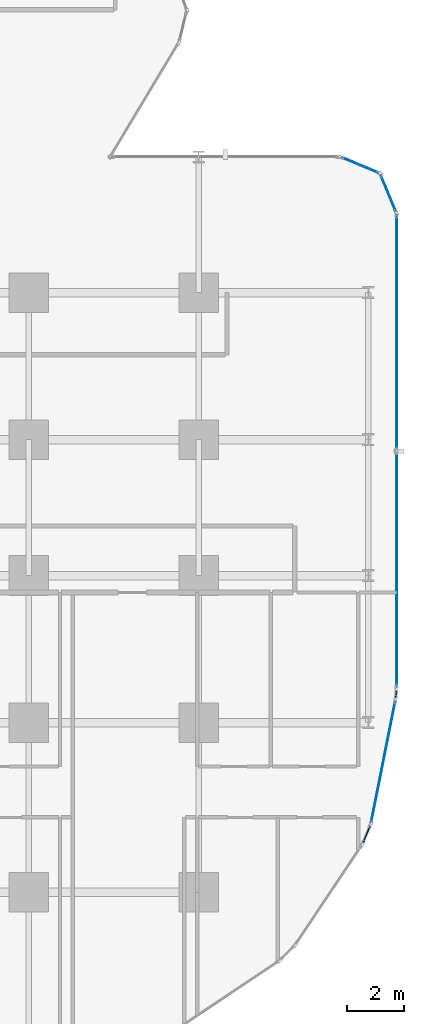
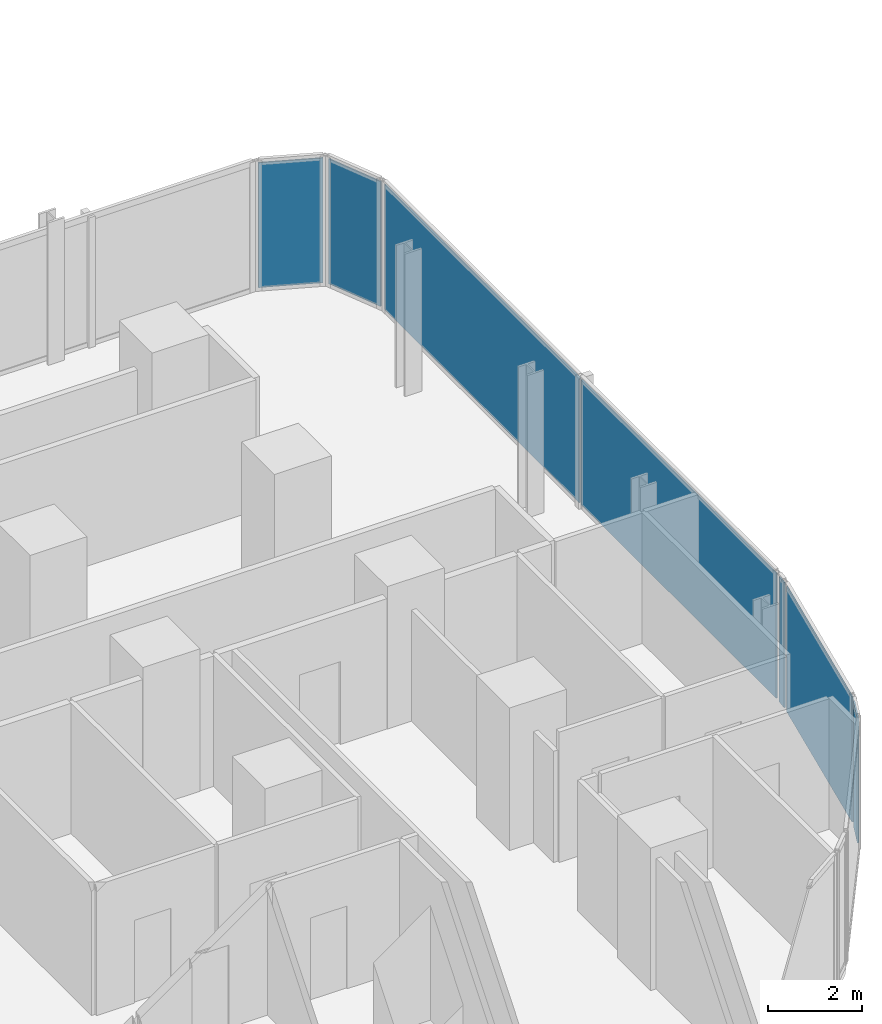
# One storey, part 25 of 34: 7 plates, 6 elements without a shape of their own.
"""IFC4 building model written with IfcOpenShell, lengths in metres."""

from ifc_helpers import new_model, si_unit, direction, frame, origin, origin_2d, place, context, subcontext, project, spatial, rectangle, extrude, material, layer, layer_set, type_object, element, aggregate, save


model = new_model("IFC4")

# Units and contexts
model_context = context("Model", 3, precision=1e-05, world=origin(), true_north=direction((0.0, 1.0)))
body_context = subcontext(model_context, "Body", "Model", "MODEL_VIEW")
ifc_project = project(units=[si_unit("LENGTHUNIT", "METRE"), si_unit("AREAUNIT", "SQUARE_METRE"), si_unit("VOLUMEUNIT", "CUBIC_METRE"), si_unit("PLANEANGLEUNIT", "RADIAN"), si_unit("MASSUNIT", "GRAM", prefix="KILO")], contexts=[model_context])

# Site, building, storey
site_placement = place(None, origin())
site = spatial("IfcSite", under=ifc_project, at=site_placement, CompositionType="ELEMENT")
building_placement = place(site_placement, origin())
building = spatial("IfcBuilding", under=site, at=building_placement, Name="Keshet Zoharim Tower", CompositionType="ELEMENT")
storey_placement = place(building_placement, frame((0.0, 0.0, 38.800048828125)))
storey = spatial("IfcBuildingStorey", under=building, at=storey_placement, Name="L08", CompositionType="ELEMENT", Elevation=38.800048828125)

# Curtain wall, plate
ifc_material_1 = material(Name="Aluminium 6063-T6", Category="aluminium")
ifc_layer_1 = layer(ifc_material_1, 0.179931640625)
ifc_layer_set_1 = layer_set([ifc_layer_1], Name="Aluminium 6063-T6")
curtain_wall_type_1 = type_object("IfcCurtainWallType", Name="CW-SYS-01", PredefinedType="NOTDEFINED", material=ifc_layer_set_1)
curtain_wall_1_placement = place(storey_placement, origin())
curtain_wall_1 = element("IfcCurtainWall", 1, at=curtain_wall_1_placement, inside=storey, type_object=curtain_wall_type_1, Name="L08 Unitised Curtain Wall 19", PredefinedType="NOTDEFINED")
ifc_material_2 = material(Name="Insulated Low-E Clear Glass", Category="glass")
ifc_layer_2 = layer(ifc_material_2, 0.035888671875)
ifc_layer_set_2 = layer_set([ifc_layer_2], Name="Insulated Low-E Clear Glass")
plate_type_1 = type_object("IfcPlateType", Name="CWP-01", PredefinedType="CURTAIN_PANEL", material=ifc_layer_set_2)
plate_1_placement = place(storey_placement, frame((68.9384765625, 8.75439453125, 0.06982421875), z_axis=(0.0, 0.0, 1.0), x_axis=(-0.383068349739, -0.923720000557, 0.0)))
plate_1 = element("IfcPlate", 2, at=plate_1_placement, type_object=plate_type_1, Name="CW-01 panel 1.1", PredefinedType="CURTAIN_PANEL", context=body_context, shape_type="SweptSolid", body=[
    extrude(rectangle(XDim=0.640625, YDim=0.035888671875, at=origin_2d()), origin(), (0.0, 0.0, 1.0), 3.2451171875),
])
aggregate(curtain_wall_1, [plate_1])

ifc_layer_3 = layer(ifc_material_1, 0.169921875)
ifc_layer_set_3 = layer_set([ifc_layer_3], Name="Aluminium 6063-T6")
curtain_wall_type_2 = type_object("IfcCurtainWallType", Name="CW-SYS-02", PredefinedType="NOTDEFINED", material=ifc_layer_set_3)
curtain_wall_2_placement = place(storey_placement, origin())
curtain_wall_2 = element("IfcCurtainWall", 3, at=curtain_wall_2_placement, inside=storey, type_object=curtain_wall_type_2, Name="L08 Unitised Curtain Wall 14", PredefinedType="NOTDEFINED")
ifc_layer_4 = layer(ifc_material_2, 0.031982421875)
ifc_layer_set_4 = layer_set([ifc_layer_4], Name="Insulated Low-E Clear Glass")
plate_type_2 = type_object("IfcPlateType", Name="CWP-02", PredefinedType="CURTAIN_PANEL", material=ifc_layer_set_4)
plate_2_placement = place(storey_placement, frame((68.70703125, 32.406982421875, 0.06982421875), z_axis=(0.0, 0.0, 1.0), x_axis=(0.92380975372, -0.382851849847, 0.0)))
plate_2 = element("IfcPlate", 4, at=plate_2_placement, type_object=plate_type_2, Name="CW-02 panel 1.1", PredefinedType="CURTAIN_PANEL", context=body_context, shape_type="SweptSolid", body=[
    extrude(rectangle(XDim=1.390625, YDim=0.031982421875, at=origin_2d()), origin(), (0.0, 0.0, 1.0), 3.2451171875),
])
aggregate(curtain_wall_2, [plate_2])

curtain_wall_3_placement = place(storey_placement, origin())
curtain_wall_3 = element("IfcCurtainWall", 5, at=curtain_wall_3_placement, inside=storey, type_object=curtain_wall_type_2, Name="L08 Unitised Curtain Wall 15", PredefinedType="NOTDEFINED")
plate_3_placement = place(storey_placement, frame((69.70703125, 31.406982421875, 0.06982421875), z_axis=(0.0, 0.0, 1.0), x_axis=(0.382851849847, -0.92380975372, 0.0)))
plate_3 = element("IfcPlate", 6, at=plate_3_placement, type_object=plate_type_2, Name="CW-02 panel 1.1", PredefinedType="CURTAIN_PANEL", context=body_context, shape_type="SweptSolid", body=[
    extrude(rectangle(XDim=1.390625, YDim=0.031982421875, at=origin_2d()), origin(), (0.0, 0.0, 1.0), 3.2451171875),
])
aggregate(curtain_wall_3, [plate_3])

# Curtain wall, plates
curtain_wall_4_placement = place(storey_placement, origin())
curtain_wall_4 = element("IfcCurtainWall", 7, at=curtain_wall_4_placement, inside=storey, type_object=curtain_wall_type_2, Name="L08 Unitised Curtain Wall 16", PredefinedType="NOTDEFINED")
plate_4_placement = place(storey_placement, frame((70.0, 26.481689453125, 0.06982421875), z_axis=(0.0, 0.0, 1.0), x_axis=(0.0, -1.0, 0.0)))
plate_4 = element("IfcPlate", 8, at=plate_4_placement, type_object=plate_type_2, Name="CW-02 panel 1.1", PredefinedType="CURTAIN_PANEL", context=body_context, shape_type="SweptSolid", body=[
    extrude(rectangle(XDim=8.29638671875, YDim=0.031982421875, at=origin_2d()), origin(), (0.0, 0.0, 1.0), 3.2451171875),
])
plate_5_placement = place(storey_placement, frame((70.0, 18.115234375, 0.06982421875), z_axis=(0.0, 0.0, 1.0), x_axis=(0.0, -1.0, 0.0)))
plate_5 = element("IfcPlate", 9, at=plate_5_placement, type_object=plate_type_2, Name="CW-02 panel 2.1", PredefinedType="CURTAIN_PANEL", context=body_context, shape_type="SweptSolid", body=[
    extrude(rectangle(XDim=8.29638671875, YDim=0.031982421875, at=origin_2d()), origin(), (0.0, 0.0, 1.0), 3.2451171875),
])
aggregate(curtain_wall_4, [plate_4, plate_5])

# Curtain wall, plate
curtain_wall_5_placement = place(storey_placement, origin())
curtain_wall_5 = element("IfcCurtainWall", 10, at=curtain_wall_5_placement, inside=storey, type_object=curtain_wall_type_2, Name="L08 Unitised Curtain Wall 17", PredefinedType="NOTDEFINED")
plate_6_placement = place(storey_placement, frame((69.98095703125, 13.701904296875, 0.06982421875), z_axis=(0.0, 0.0, 1.0), x_axis=(-0.096976648633, -0.995286657009, 0.0)))
plate_6 = element("IfcPlate", 11, at=plate_6_placement, type_object=plate_type_2, Name="CW-02 panel 1.1", PredefinedType="CURTAIN_PANEL", context=body_context, shape_type="SweptSolid", body=[
    extrude(rectangle(XDim=0.251953125, YDim=0.031982421875, at=origin_2d()), origin(), (0.0, 0.0, 1.0), 3.2451171875),
])
aggregate(curtain_wall_5, [plate_6])

curtain_wall_6_placement = place(storey_placement, origin())
curtain_wall_6 = element("IfcCurtainWall", 12, at=curtain_wall_6_placement, inside=storey, type_object=curtain_wall_type_2, Name="L08 Unitised Curtain Wall 18", PredefinedType="NOTDEFINED")
plate_7_placement = place(storey_placement, frame((69.52490234375, 11.31103515625, 0.06982421875), z_axis=(0.0, 0.0, 1.0), x_axis=(-0.195171279072, -0.98076917357, 0.0)))
plate_7 = element("IfcPlate", 13, at=plate_7_placement, type_object=plate_type_2, Name="CW-02 panel 1.1", PredefinedType="CURTAIN_PANEL", context=body_context, shape_type="SweptSolid", body=[
    extrude(rectangle(XDim=4.338134765625, YDim=0.031982421875, at=origin_2d()), origin(), (0.0, 0.0, 1.0), 3.2451171875),
])
aggregate(curtain_wall_6, [plate_7])

save(model, "model.ifc")
